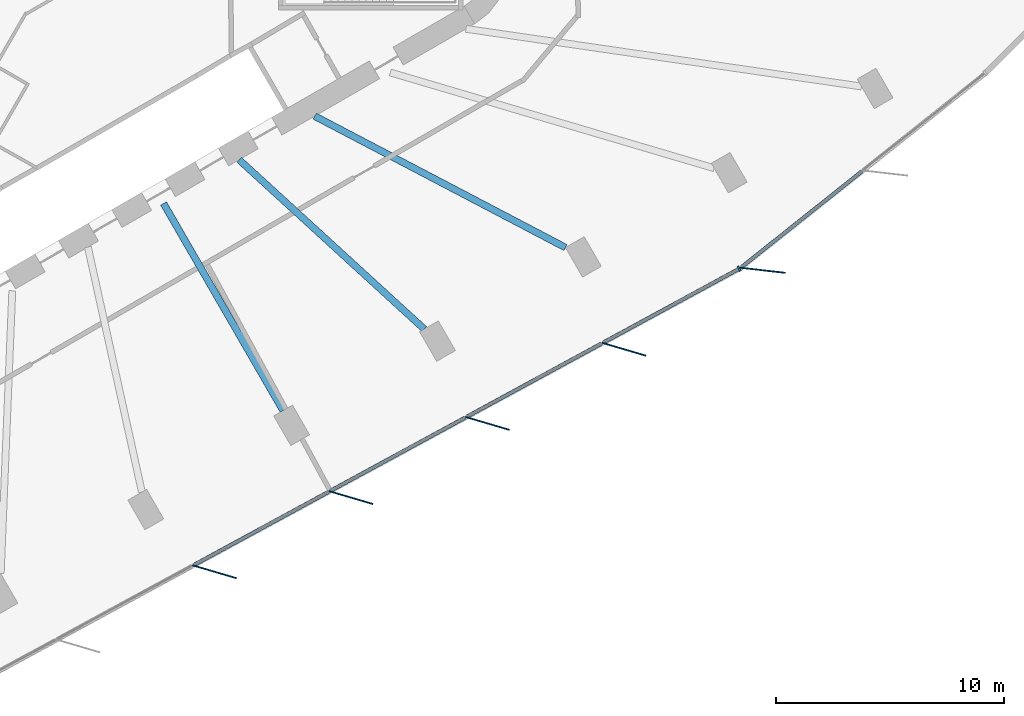
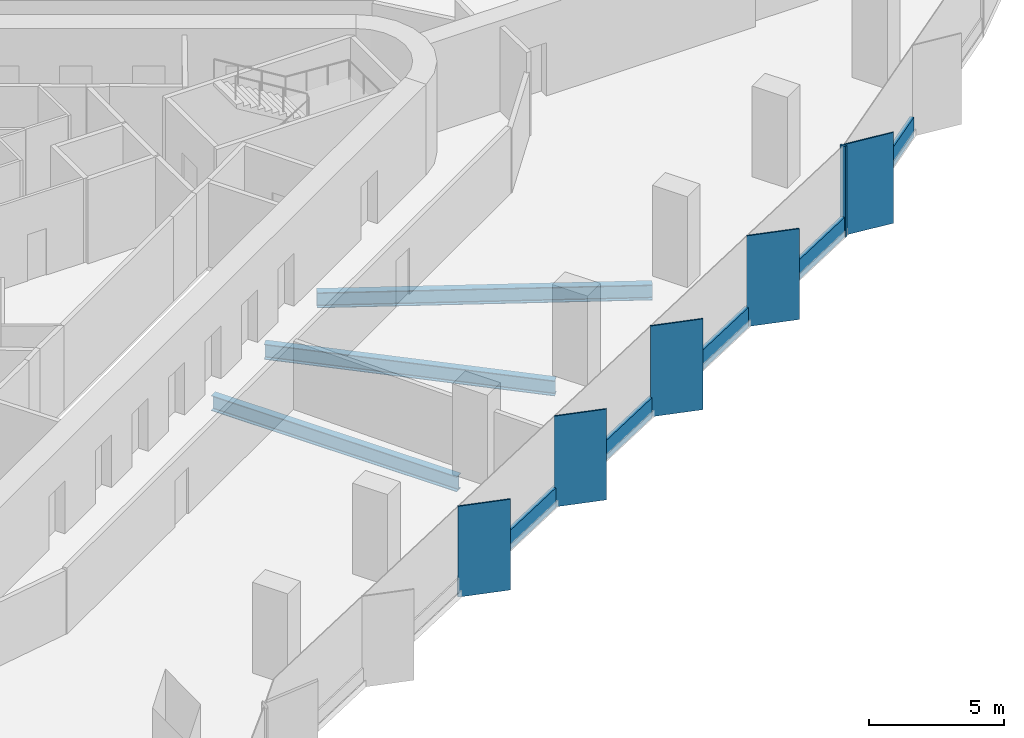
# One storey, part 3 of 13: 11 members, 3 beams, 2 elements without a shape of their own.
"""IFC4 building model written with IfcOpenShell, lengths in metres."""

from ifc_helpers import new_model, si_unit, direction, frame, origin, origin_2d, place, context, subcontext, project, spatial, rectangle, i_section, extrude, material, material_profile, profile_set, type_object, element, aggregate, save


model = new_model("IFC4")

# Units and contexts
model_context = context("Model", 3, precision=1e-05, world=origin(), true_north=direction((0.0, 1.0)))
body_context = subcontext(model_context, "Body", "Model", "MODEL_VIEW")
ifc_project = project(units=[si_unit("LENGTHUNIT", "METRE"), si_unit("AREAUNIT", "SQUARE_METRE"), si_unit("VOLUMEUNIT", "CUBIC_METRE"), si_unit("PLANEANGLEUNIT", "RADIAN"), si_unit("MASSUNIT", "GRAM", prefix="KILO")], contexts=[model_context])

# Site, building, storey
site_placement = place(None, origin())
site = spatial("IfcSite", under=ifc_project, at=site_placement, CompositionType="ELEMENT")
building_placement = place(site_placement, origin())
building = spatial("IfcBuilding", under=site, at=building_placement, Name="Tanit Gate Tower", CompositionType="ELEMENT")
storey_placement = place(building_placement, frame((0.0, 0.0, 61.89990234375)))
storey = spatial("IfcBuildingStorey", under=building, at=storey_placement, Name="L11", CompositionType="ELEMENT", Elevation=61.89990234375)

# Curtain wall, members
ifc_material_1 = material(Name="Aluminium bronze anodised and glass", Category="aluminium")
curtain_wall_type = type_object("IfcCurtainWallType", Name="Curtain wall typical low", PredefinedType="NOTDEFINED", material=ifc_material_1)
curtain_wall_1_placement = place(storey_placement, origin())
curtain_wall_1 = element("IfcCurtainWall", 1, at=curtain_wall_1_placement, inside=storey, type_object=curtain_wall_type, Name="Curtain wall L11 SE2", PredefinedType="NOTDEFINED")
ifc_material_2 = material(Name="Aluminium bronze anodised", Category="aluminium")
ifc_material_profile_1 = material_profile(ifc_material_2, rectangle(XDim=2.0, YDim=0.055908203125, at=origin_2d()), Name="56x2000 bronze fin mullion")
ifc_profile_set_1 = profile_set([ifc_material_profile_1], Name="Aluminium bronze anodised")
member_type_1 = type_object("IfcMemberType", Name="FIN MULLION 56x2000 bronze", PredefinedType="MULLION", material=ifc_profile_set_1)
member_1_placement = place(storey_placement, frame((8.287841796875, -26.641357421875, -0.2998046875), z_axis=(0.0, 0.0, 1.0), x_axis=(-0.958891574692, 0.28377270479, 0.0)))
member_1 = element("IfcMember", 2, at=member_1_placement, type_object=member_type_1, Name="Fin mullion L11 SE2.3", PredefinedType="MULLION", context=body_context, shape_type="SweptSolid", body=[
    extrude(rectangle(XDim=2.0, YDim=0.055908203125, at=origin_2d()), origin(), (0.0, 0.0, 1.0), 4.099853515625),
])
member_2_placement = place(storey_placement, frame((14.278564453125, -23.386962890625, -0.2998046875), z_axis=(0.0, 0.0, 1.0), x_axis=(-0.958891574692, 0.28377270479, 0.0)))
member_2 = element("IfcMember", 3, at=member_2_placement, type_object=member_type_1, Name="Fin mullion L11 SE2.4", PredefinedType="MULLION", context=body_context, shape_type="SweptSolid", body=[
    extrude(rectangle(XDim=2.0, YDim=0.055908203125, at=origin_2d()), origin(), (0.0, 0.0, 1.0), 4.099853515625),
])
member_3_placement = place(storey_placement, frame((20.269287109375, -20.13232421875, -0.2998046875), z_axis=(0.0, 0.0, 1.0), x_axis=(-0.958891574692, 0.28377270479, 0.0)))
member_3 = element("IfcMember", 4, at=member_3_placement, type_object=member_type_1, Name="Fin mullion L11 SE2.5", PredefinedType="MULLION", context=body_context, shape_type="SweptSolid", body=[
    extrude(rectangle(XDim=2.0, YDim=0.055908203125, at=origin_2d()), origin(), (0.0, 0.0, 1.0), 4.099853515625),
])
member_4_placement = place(storey_placement, frame((26.260009765625, -16.877685546875, -0.2998046875), z_axis=(0.0, 0.0, 1.0), x_axis=(-0.958891574692, 0.28377270479, 0.0)))
member_4 = element("IfcMember", 5, at=member_4_placement, type_object=member_type_1, Name="Fin mullion L11 SE2.6", PredefinedType="MULLION", context=body_context, shape_type="SweptSolid", body=[
    extrude(rectangle(XDim=2.0, YDim=0.055908203125, at=origin_2d()), origin(), (0.0, 0.0, 1.0), 4.099853515625),
])

# Curtain wall, member
curtain_wall_2_placement = place(storey_placement, origin())
curtain_wall_2 = element("IfcCurtainWall", 6, at=curtain_wall_2_placement, inside=storey, type_object=curtain_wall_type, Name="Curtain wall L11 SE3", PredefinedType="NOTDEFINED")
member_5_placement = place(storey_placement, frame((32.350830078125, -13.412353515625, -0.2998046875), z_axis=(0.0, 0.0, 1.0), x_axis=(-0.993566182952, 0.113252991549, 0.0)))
member_5 = element("IfcMember", 7, at=member_5_placement, type_object=member_type_1, Name="Fin mullion L11 SE3.1", PredefinedType="MULLION", context=body_context, shape_type="SweptSolid", body=[
    extrude(rectangle(XDim=2.0, YDim=0.055908203125, at=origin_2d()), origin(), (0.0, 0.0, 1.0), 4.099853515625),
])

# Member
ifc_material_3 = material(Name="Aluminium bronze anodised", Category="aluminium")
ifc_material_profile_2 = material_profile(ifc_material_3, rectangle(XDim=0.239990234375, YDim=0.080078125, at=origin_2d()), Name="80x240 bronze mullion")
ifc_profile_set_2 = profile_set([ifc_material_profile_2], Name="Aluminium bronze anodised")
member_type_2 = type_object("IfcMemberType", Name="Mullion 80x240 typical low", PredefinedType="MULLION", material=ifc_profile_set_2)
member_6_placement = place(storey_placement, frame((31.313232421875, -13.345703125, -0.2998046875), z_axis=(0.0, 0.0, 1.0), x_axis=(-0.477381131015, 0.87869633876, 0.0)))
member_6 = element("IfcMember", 8, at=member_6_placement, type_object=member_type_2, Name="Mullion L11 SE2.7", PredefinedType="MULLION", context=body_context, shape_type="SweptSolid", body=[
    extrude(rectangle(XDim=0.239990234375, YDim=0.080078125, at=origin_2d()), origin(), (0.0, 0.0, 1.0), 4.099853515625),
])

# Beams
ifc_material_4 = material(Name="Steel S355", Category="steel")
ifc_material_profile_3 = material_profile(ifc_material_4, i_section(OverallWidth=0.300048828125, OverallDepth=0.68994140625, WebThickness=0.014404296875, FlangeThickness=0.027099609375, FilletRadius=0.027099609375, at=origin_2d()), Name="HEA 700")
ifc_profile_set_3 = profile_set([ifc_material_profile_3], Name="Steel S355")
beam_type = type_object("IfcBeamType", Name="RADIAL GIRDER HEA 700 S355", PredefinedType="BEAM", material=ifc_profile_set_3)
beam_1_placement = place(storey_placement, frame((11.29736328125, -19.5673828125, -0.64501953125), z_axis=(-0.500010476433, 0.866019355129, 0.0), x_axis=(-0.866019355129, -0.500010476433, 0.0)))
element("IfcBeam", 9, at=beam_1_placement, inside=storey, type_object=beam_type, Name="RADIAL GIRDER", PredefinedType="BEAM", context=body_context, shape_type="SweptSolid", body=[
    extrude(i_section(OverallWidth=0.300048828125, OverallDepth=0.68994140625, WebThickness=0.014404296875, FlangeThickness=0.027099609375, FilletRadius=0.027099609375, at=origin_2d()), origin(), (0.0, 0.0, 1.0), 10.492431640625),
])
beam_2_placement = place(storey_placement, frame((17.492919921875, -15.990478515625, -0.64501953125), z_axis=(-0.738094457914, 0.674697392315, 0.0), x_axis=(-0.674697392315, -0.738094457914, 0.0)))
element("IfcBeam", 10, at=beam_2_placement, inside=storey, type_object=beam_type, Name="RADIAL GIRDER", PredefinedType="BEAM", context=body_context, shape_type="SweptSolid", body=[
    extrude(i_section(OverallWidth=0.300048828125, OverallDepth=0.68994140625, WebThickness=0.014404296875, FlangeThickness=0.027099609375, FilletRadius=0.027099609375, at=origin_2d()), origin(), (0.0, 0.0, 1.0), 11.006103515625),
])
beam_3_placement = place(storey_placement, frame((23.688232421875, -12.413330078125, -0.64501953125), z_axis=(-0.885753028524, 0.464156840368, 0.0), x_axis=(-0.464156840368, -0.885753028524, 0.0)))
element("IfcBeam", 11, at=beam_3_placement, inside=storey, type_object=beam_type, Name="RADIAL GIRDER", PredefinedType="BEAM", context=body_context, shape_type="SweptSolid", body=[
    extrude(i_section(OverallWidth=0.300048828125, OverallDepth=0.68994140625, WebThickness=0.014404296875, FlangeThickness=0.027099609375, FilletRadius=0.027099609375, at=origin_2d()), origin(), (0.0, 0.0, 1.0), 12.419189453125),
])

# Member
ifc_material_5 = material(Name="Aluminium bronze anodised", Category="aluminium")
ifc_material_profile_4 = material_profile(ifc_material_5, rectangle(XDim=0.159912109375, YDim=0.89990234375, at=origin_2d()), Name="160x900 bronze transom")
ifc_profile_set_4 = profile_set([ifc_material_profile_4], Name="Aluminium bronze anodised")
member_type_3 = type_object("IfcMemberType", Name="Transom 160x900 typical low", PredefinedType="USERDEFINED", material=ifc_profile_set_4)
member_7_placement = place(storey_placement, frame((7.385986328125, -26.344970703125, 0.150146484375), z_axis=(0.878705798201, 0.47736371899, 0.0), x_axis=(-0.47736371899, 0.878705798201, 0.0)))
member_7 = element("IfcMember", 12, at=member_7_placement, type_object=member_type_3, Name="Transom L11 SE2.3", ObjectType="TRANSOM", PredefinedType="USERDEFINED", context=body_context, shape_type="SweptSolid", body=[
    extrude(rectangle(XDim=0.159912109375, YDim=0.89990234375, at=origin_2d()), origin(), (0.0, 0.0, 1.0), 6.737548828125),
])

member_8_placement = place(storey_placement, frame((13.37646484375, -23.09033203125, 0.150146484375), z_axis=(0.878705798201, 0.47736371899, 0.0), x_axis=(-0.47736371899, 0.878705798201, 0.0)))
member_8 = element("IfcMember", 13, at=member_8_placement, type_object=member_type_3, Name="Transom L11 SE2.4", ObjectType="TRANSOM", PredefinedType="USERDEFINED", context=body_context, shape_type="SweptSolid", body=[
    extrude(rectangle(XDim=0.159912109375, YDim=0.89990234375, at=origin_2d()), origin(), (0.0, 0.0, 1.0), 6.737548828125),
])

member_9_placement = place(storey_placement, frame((19.3671875, -19.835693359375, 0.150146484375), z_axis=(0.878705798201, 0.47736371899, 0.0), x_axis=(-0.47736371899, 0.878705798201, 0.0)))
member_9 = element("IfcMember", 14, at=member_9_placement, type_object=member_type_3, Name="Transom L11 SE2.5", ObjectType="TRANSOM", PredefinedType="USERDEFINED", context=body_context, shape_type="SweptSolid", body=[
    extrude(rectangle(XDim=0.159912109375, YDim=0.89990234375, at=origin_2d()), origin(), (0.0, 0.0, 1.0), 6.737548828125),
])

member_10_placement = place(storey_placement, frame((25.35791015625, -16.5810546875, 0.150146484375), z_axis=(0.878697540649, 0.477378918739, 0.0), x_axis=(-0.477378918739, 0.878697540649, 0.0)))
member_10 = element("IfcMember", 15, at=member_10_placement, type_object=member_type_3, Name="Transom L11 SE2.6", ObjectType="TRANSOM", PredefinedType="USERDEFINED", context=body_context, shape_type="SweptSolid", body=[
    extrude(rectangle(XDim=0.159912109375, YDim=0.89990234375, at=origin_2d()), origin(), (0.0, 0.0, 1.0), 6.737548828125),
])

aggregate(curtain_wall_1, [member_1, member_2, member_3, member_4, member_6, member_7, member_8, member_9, member_10])

member_11_placement = place(storey_placement, frame((31.4111328125, -13.27685546875, 0.150146484375), z_axis=(0.782629768597, 0.622487465983, 0.0), x_axis=(-0.622487465983, 0.782629768597, 0.0)))
member_11 = element("IfcMember", 16, at=member_11_placement, type_object=member_type_3, Name="Transom L11 SE3.1", ObjectType="TRANSOM", PredefinedType="USERDEFINED", context=body_context, shape_type="SweptSolid", body=[
    extrude(rectangle(XDim=0.159912109375, YDim=0.89990234375, at=origin_2d()), origin(), (0.0, 0.0, 1.0), 6.778076171875),
])

aggregate(curtain_wall_2, [member_5, member_11])

save(model, "model.ifc")
